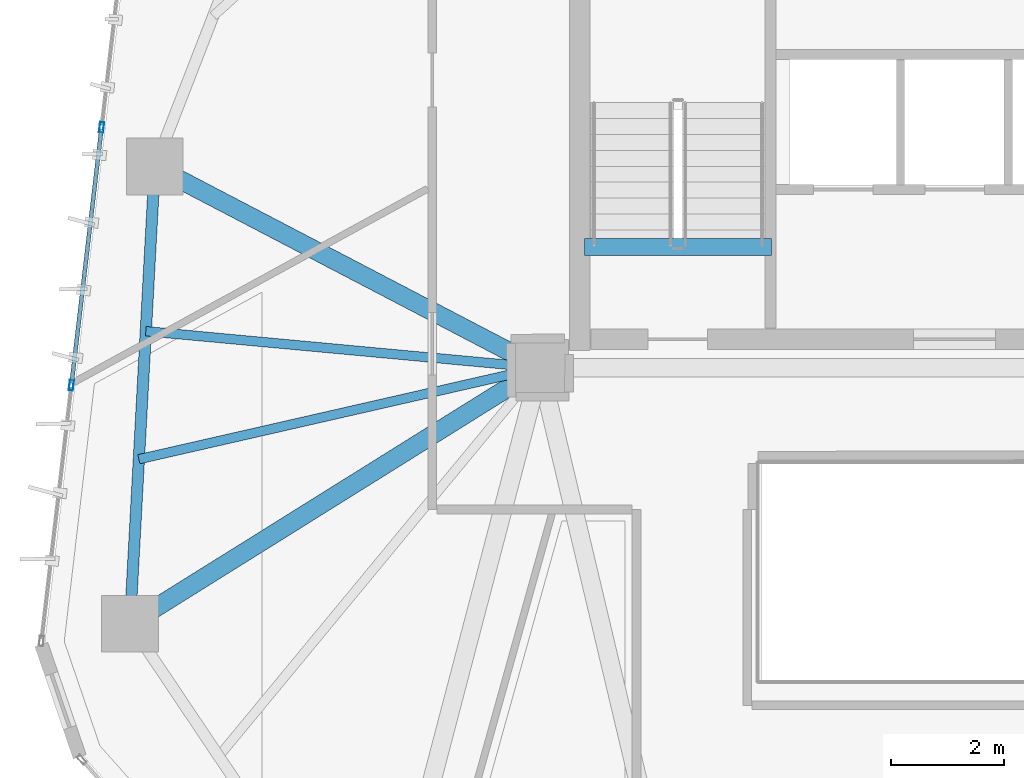
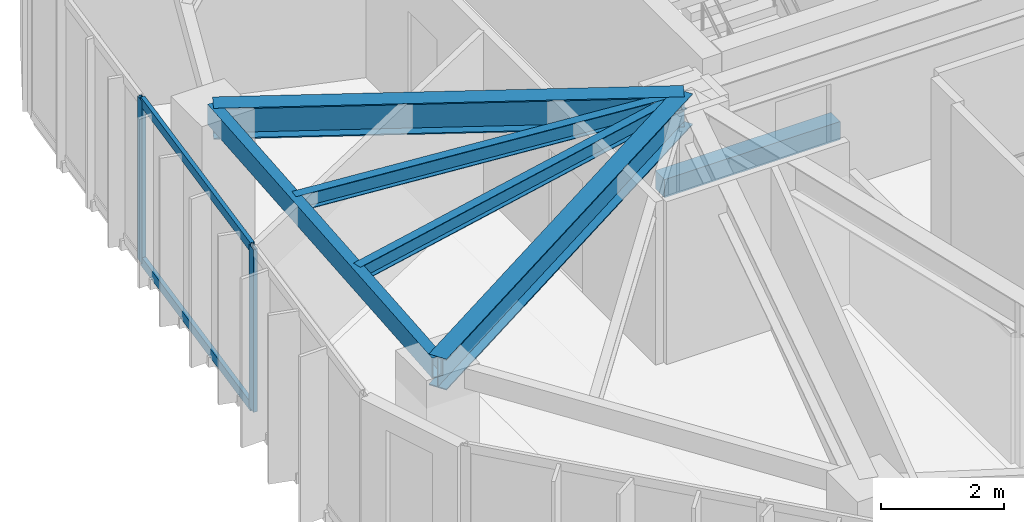
# One storey, part 8 of 22: 6 beams, 4 members, 1 element without a shape of its own.
"""IFC4 building model written with IfcOpenShell, lengths in metres."""

from ifc_helpers import new_model, si_unit, direction, frame, origin, origin_2d, place, context, subcontext, project, spatial, rectangle, hollow_rectangle, i_section, extrude, source, transform, mapped, material, layer, layer_set, material_profile, profile_set, type_object, type_shapes, element, aggregate, save


model = new_model("IFC4")

# Units and contexts
model_context = context("Model", 3, precision=1e-05, world=origin(), true_north=direction((0.0, 1.0)))
body_context = subcontext(model_context, "Body", "Model", "MODEL_VIEW")
ifc_project = project(units=[si_unit("LENGTHUNIT", "METRE"), si_unit("AREAUNIT", "SQUARE_METRE"), si_unit("VOLUMEUNIT", "CUBIC_METRE"), si_unit("PLANEANGLEUNIT", "RADIAN"), si_unit("MASSUNIT", "GRAM", prefix="KILO")], contexts=[model_context])

# Site, building, storey
site_placement = place(None, origin())
site = spatial("IfcSite", under=ifc_project, at=site_placement, CompositionType="ELEMENT")
building_placement = place(site_placement, origin())
building = spatial("IfcBuilding", under=site, at=building_placement, Name="Talar Marvaseh", CompositionType="ELEMENT")
storey_placement = place(building_placement, frame((0.0, 0.0, 229.199951171875)))
storey = spatial("IfcBuildingStorey", under=building, at=storey_placement, Name="L60", CompositionType="ELEMENT", Elevation=229.199951171875)

# Beams
ifc_material_1 = material(Name="Concrete C40/50", Category="concrete")
ifc_material_profile_1 = material_profile(ifc_material_1, rectangle(XDim=0.300048828125, YDim=0.360107421875, at=origin_2d()), Name="RC300x360")
ifc_profile_set_1 = profile_set([ifc_material_profile_1], Name="Concrete C40/50")
beam_type_1 = type_object("IfcBeamType", Name="Concrete Stair Landing Trimmer Beam RC300x360", PredefinedType="SPANDREL", material=ifc_profile_set_1)
beam_1_placement = place(storey_placement, frame((22.780029296875, 27.6298828125, -0.179931640625), z_axis=(-1.0, 0.0, 0.0), x_axis=(0.0, -1.0, 0.0)))
element("IfcBeam", 1, at=beam_1_placement, inside=storey, type_object=beam_type_1, Name="L60 ST-1 Stair Nosing Trimmer Beam", PredefinedType="SPANDREL", context=body_context, shape_type="SweptSolid", body=[
    extrude(rectangle(XDim=0.300048828125, YDim=0.360107421875, at=origin_2d()), origin(), (0.0, 0.0, 1.0), 3.300048828125),
])
ifc_material_2 = material(Name="Steel S355", Category="steel")
ifc_material_profile_2 = material_profile(ifc_material_2, hollow_rectangle(XDim=0.199951171875, YDim=0.39990234375, WallThickness=0.013916015625, at=origin_2d()), Name="RHS400x200x14")
ifc_profile_set_2 = profile_set([ifc_material_profile_2], Name="Steel S355")
beam_type_2 = type_object("IfcBeamType", Name="Zone 3 Perimeter Spandrel Beam RHS400x200x14", PredefinedType="SPANDREL", material=ifc_profile_set_2)
beam_2_placement = place(storey_placement, frame((11.471923828125, 20.986083984375, 3.030029296875), z_axis=(0.054148078426, 0.998532916635, 0.0), x_axis=(-0.998532916635, 0.054148078426, 0.0)))
element("IfcBeam", 2, at=beam_2_placement, inside=storey, type_object=beam_type_2, Name="L60 Zone 3 Perimeter Spandrel Beam RHS400x200x14", PredefinedType="SPANDREL", context=body_context, shape_type="SweptSolid", body=[
    extrude(hollow_rectangle(XDim=0.199951171875, YDim=0.39990234375, WallThickness=0.013916015625, at=origin_2d()), origin(), (0.0, 0.0, 1.0), 8.070556640625),
])
ifc_material_profile_3 = material_profile(ifc_material_2, i_section(OverallWidth=0.324951171875, OverallDepth=0.615966796875, WebThickness=0.013916015625, FlangeThickness=0.021484375, at=origin_2d()), Name="W610x174")
ifc_profile_set_3 = profile_set([ifc_material_profile_3], Name="Steel S355")
beam_type_3 = type_object("IfcBeamType", Name="Zone 3 Radial Floor Girder W610x174", PredefinedType="BEAM", material=ifc_profile_set_3)
beam_3_placement = place(storey_placement, frame((11.471923828125, 20.986083984375, 2.922119140625), z_axis=(0.848188171212, 0.52969503133, 0.0), x_axis=(-0.52969503133, 0.848188171212, 0.0)))
element("IfcBeam", 3, at=beam_3_placement, inside=storey, type_object=beam_type_3, Name="L60 Zone 3 Radial Floor Girder W610x174", PredefinedType="BEAM", context=body_context, shape_type="SweptSolid", body=[
    extrude(i_section(OverallWidth=0.324951171875, OverallDepth=0.615966796875, WebThickness=0.013916015625, FlangeThickness=0.021484375, at=origin_2d()), origin(), (0.0, 0.0, 1.0), 8.521728515625),
])
beam_4_placement = place(storey_placement, frame((11.908935546875, 29.044921875, 2.922119140625), z_axis=(0.886489360055, -0.462748975697, 0.0), x_axis=(0.462748975697, 0.886489360055, 0.0)))
element("IfcBeam", 4, at=beam_4_placement, inside=storey, type_object=beam_type_3, Name="L60 Zone 3 Radial Floor Girder W610x174", PredefinedType="BEAM", context=body_context, shape_type="SweptSolid", body=[
    extrude(i_section(OverallWidth=0.324951171875, OverallDepth=0.615966796875, WebThickness=0.013916015625, FlangeThickness=0.021484375, at=origin_2d()), origin(), (0.0, 0.0, 1.0), 7.66064453125),
])
ifc_material_profile_4 = material_profile(ifc_material_2, i_section(OverallWidth=0.166015625, OverallDepth=0.31298828125, WebThickness=0.006591796875, FlangeThickness=0.01123046875, at=origin_2d()), Name="W310x45")
ifc_profile_set_4 = profile_set([ifc_material_profile_4], Name="Steel S355")
beam_type_4 = type_object("IfcBeamType", Name="Zone 3 Secondary Floor Joist W310x45", PredefinedType="JOIST", material=ifc_profile_set_4)
beam_5_placement = place(storey_placement, frame((11.62939453125, 23.88720703125, 3.073486328125), z_axis=(0.974958279205, 0.222387845462, 0.0), x_axis=(-0.222387845462, 0.974958279205, 0.0)))
element("IfcBeam", 5, at=beam_5_placement, inside=storey, type_object=beam_type_4, Name="L60 Zone 3 Secondary Floor Joist W310x45", PredefinedType="JOIST", context=body_context, shape_type="SweptSolid", body=[
    extrude(i_section(OverallWidth=0.166015625, OverallDepth=0.31298828125, WebThickness=0.006591796875, FlangeThickness=0.01123046875, at=origin_2d()), origin(), (0.0, 0.0, 1.0), 7.252197265625),
])
beam_6_placement = place(storey_placement, frame((11.751708984375, 26.143798828125, 3.073486328125), z_axis=(0.995734842854, -0.092261165868, 0.0), x_axis=(0.092261165868, 0.995734842854, 0.0)))
element("IfcBeam", 6, at=beam_6_placement, inside=storey, type_object=beam_type_4, Name="L60 Zone 3 Secondary Floor Joist W310x45", PredefinedType="JOIST", context=body_context, shape_type="SweptSolid", body=[
    extrude(i_section(OverallWidth=0.166015625, OverallDepth=0.31298828125, WebThickness=0.006591796875, FlangeThickness=0.01123046875, at=origin_2d()), origin(), (0.0, 0.0, 1.0), 6.97802734375),
])

# Curtain wall, members
ifc_material_3 = material(Name="Architectural Aluminium", Category="aluminium")
ifc_layer = layer(ifc_material_3, 0.18994140625)
ifc_layer_set = layer_set([ifc_layer], Name="Architectural Aluminium")
curtain_wall_type = type_object("IfcCurtainWallType", Name="Unitised Solar Atelier Curtain Wall Z3", PredefinedType="NOTDEFINED", material=ifc_layer_set)
curtain_wall_placement = place(storey_placement, origin())
curtain_wall = element("IfcCurtainWall", 7, at=curtain_wall_placement, inside=storey, type_object=curtain_wall_type, Name="L60 Unitised Solar Atelier Curtain Wall Z3", PredefinedType="NOTDEFINED")
ifc_material_profile_5 = material_profile(ifc_material_3, hollow_rectangle(XDim=0.074951171875, YDim=0.179931640625, WallThickness=0.0048828125, at=origin_2d()), Name="RHS180x75x5")
ifc_profile_set_5 = profile_set([ifc_material_profile_5], Name="Architectural Aluminium")
member_type_1 = type_object("IfcMemberType", Name="Unitised Curtain Wall Standard Mullion RHS180x75x5", PredefinedType="MULLION", material=ifc_profile_set_5)
shared_shape_1 = source(origin(), body_context, "Body", "SweptSolid", [
    extrude(hollow_rectangle(XDim=0.074951171875, YDim=0.179931640625, WallThickness=0.0048828125, at=origin_2d()), origin(), (0.0, 0.0, 1.0), 3.22998046875),
])
type_shapes(member_type_1, [shared_shape_1])
member_1_placement = place(storey_placement, frame((10.440185546875, 25.191650390625, 0.0), z_axis=(0.0, 0.0, 1.0), x_axis=(-0.993206413634, 0.116365888114, 0.0)))
member_1 = element("IfcMember", 8, at=member_1_placement, type_object=member_type_1, Name="CW-Z3 mullion 2", PredefinedType="MULLION", context=body_context, shape_type="MappedRepresentation", body=[
    mapped(shared_shape_1, transform((0.0, 0.0, 0.0), x_axis=(1.0, 0.0, 0.0), y_axis=(0.0, 1.0, 0.0), z_axis=(0.0, 0.0, 1.0), scale=1.0)),
])
member_2_placement = place(storey_placement, frame((10.972900390625, 29.73779296875, 0.0), z_axis=(0.0, 0.0, 1.0), x_axis=(-0.993206413634, 0.116365888114, 0.0)))
member_2 = element("IfcMember", 9, at=member_2_placement, type_object=member_type_1, Name="CW-Z3 mullion 3", PredefinedType="MULLION", context=body_context, shape_type="MappedRepresentation", body=[
    mapped(shared_shape_1, transform((0.0, 0.0, 0.0), x_axis=(1.0, 0.0, 0.0), y_axis=(0.0, 1.0, 0.0), z_axis=(0.0, 0.0, 1.0), scale=1.0)),
])
ifc_material_profile_6 = material_profile(ifc_material_3, hollow_rectangle(XDim=0.074951171875, YDim=0.179931640625, WallThickness=0.0048828125, at=origin_2d()), Name="RHS180x75x5")
ifc_profile_set_6 = profile_set([ifc_material_profile_6], Name="Architectural Aluminium")
member_type_2 = type_object("IfcMemberType", Name="Unitised Curtain Wall Transom RHS180x75x5", PredefinedType="USERDEFINED", material=ifc_profile_set_6)
shared_shape_2 = source(origin(), body_context, "Body", "SweptSolid", [
    extrude(hollow_rectangle(XDim=0.074951171875, YDim=0.179931640625, WallThickness=0.0048828125, at=origin_2d()), origin(), (0.0, 0.0, 1.0), 4.502197265625),
])
type_shapes(member_type_2, [shared_shape_2])
member_3_placement = place(storey_placement, frame((10.444580078125, 25.228759765625, 0.03759765625), z_axis=(0.116369300377, 0.993206013841, 0.0), x_axis=(-0.993206013841, 0.116369300377, 0.0)))
member_3 = element("IfcMember", 10, at=member_3_placement, type_object=member_type_2, Name="CW-Z3 transom 2.1", ObjectType="TRANSOM", PredefinedType="USERDEFINED", context=body_context, shape_type="MappedRepresentation", body=[
    mapped(shared_shape_2, transform((0.0, 0.0, 0.0), x_axis=(1.0, 0.0, 0.0), y_axis=(0.0, 1.0, 0.0), z_axis=(0.0, 0.0, 1.0), scale=1.0)),
])
member_4_placement = place(storey_placement, frame((10.444580078125, 25.228759765625, 3.192626953125), z_axis=(0.116369300377, 0.993206013841, 0.0), x_axis=(-0.993206013841, 0.116369300377, 0.0)))
member_4 = element("IfcMember", 11, at=member_4_placement, type_object=member_type_2, Name="CW-Z3 transom 2.2", ObjectType="TRANSOM", PredefinedType="USERDEFINED", context=body_context, shape_type="MappedRepresentation", body=[
    mapped(shared_shape_2, transform((0.0, 0.0, 0.0), x_axis=(1.0, 0.0, 0.0), y_axis=(0.0, 1.0, 0.0), z_axis=(0.0, 0.0, 1.0), scale=1.0)),
])
aggregate(curtain_wall, [member_1, member_2, member_3, member_4])

save(model, "model.ifc")
